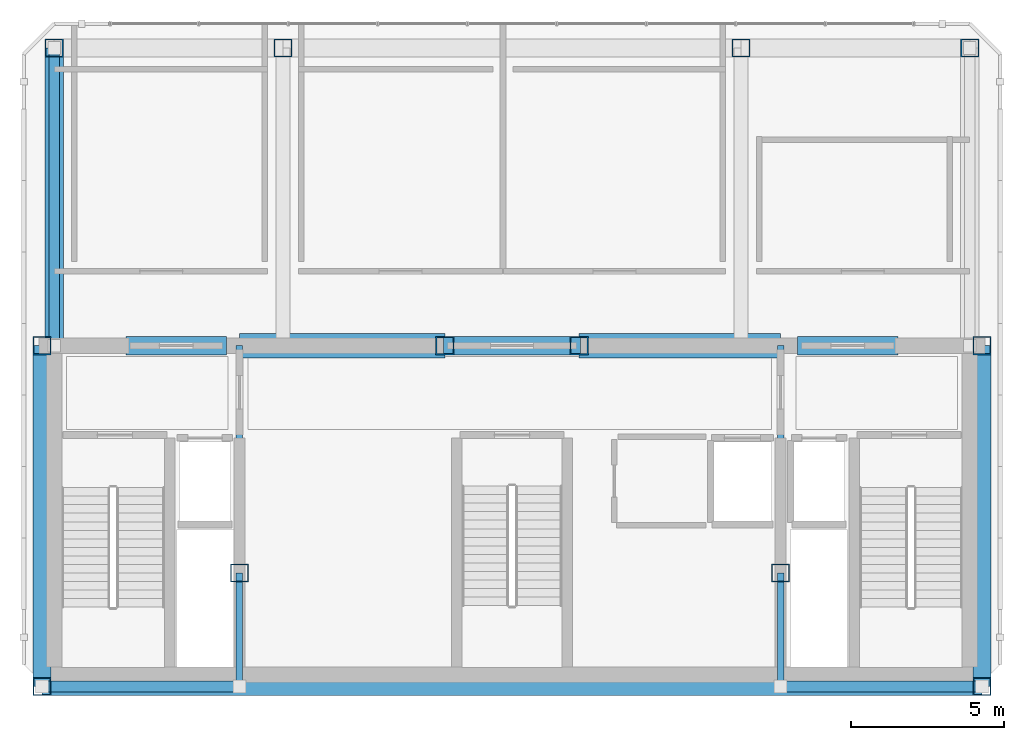
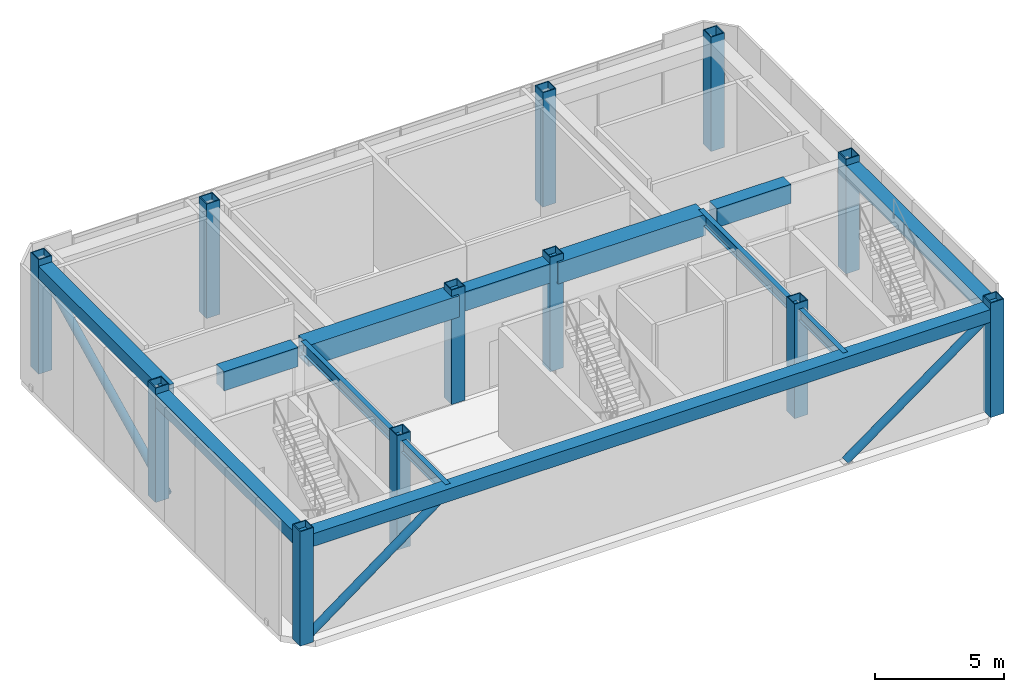
# One storey, part 1 of 10: 13 beams, 12 columns, 3 members.
"""IFC4 building model written with IfcOpenShell, lengths in metres."""

from ifc_helpers import new_model, si_unit, direction, frame, origin, origin_2d, place, context, subcontext, project, spatial, rectangle, hollow_rectangle, hollow_circle, i_section, extrude, material, material_profile, profile_set, type_object, element, save


model = new_model("IFC4")

# Units and contexts
model_context = context("Model", 3, precision=1e-05, world=origin(), true_north=direction((0.0, 1.0)))
body_context = subcontext(model_context, "Body", "Model", "MODEL_VIEW")
ifc_project = project(units=[si_unit("LENGTHUNIT", "METRE"), si_unit("AREAUNIT", "SQUARE_METRE"), si_unit("VOLUMEUNIT", "CUBIC_METRE"), si_unit("PLANEANGLEUNIT", "RADIAN"), si_unit("MASSUNIT", "GRAM", prefix="KILO")], contexts=[model_context])

# Site, building, storey
site_placement = place(None, origin())
site = spatial("IfcSite", under=ifc_project, at=site_placement, CompositionType="ELEMENT")
building_placement = place(site_placement, origin())
building = spatial("IfcBuilding", under=site, at=building_placement, Name="Ventersveld Concourse Tower", CompositionType="ELEMENT")
storey_placement = place(building_placement, frame((0.0, 0.0, 382.85009765625)))
storey = spatial("IfcBuildingStorey", under=building, at=storey_placement, Name="L93", CompositionType="ELEMENT", Elevation=382.85009765625)

# Columns
ifc_material_1 = material(Name="Structural steel S355ML", Category="steel")
ifc_material_profile_1 = material_profile(ifc_material_1, hollow_rectangle(XDim=0.60009765625, YDim=0.60009765625, WallThickness=0.0400390625, at=origin_2d()), Name="BOX 600x600x40")
ifc_profile_set_1 = profile_set([ifc_material_profile_1], Name="Structural steel S355ML")
column_type = type_object("IfcColumnType", Name="CF-POST-600", PredefinedType="USERDEFINED", material=ifc_profile_set_1)
for number, where, z_axis, x_axis, name in (
    (1, (13.35009765625, 0.280029296875, 0.0), (0.0, 0.0, 1.0), (1.0, 0.0, 0.0), "L93 Core Spine Column CC-SW"),
    (2, (44.14990234375, 0.280029296875, 0.0), (0.0, 0.0, 1.0), (1.0, 0.0, 0.0), "L93 Core Spine Column CC-SE"),
    (3, (13.35009765625, 11.449951171875, 0.0), (0.0, 0.0, 1.0), (1.0, 0.0, 0.0), "L93 Core Spine Column CC-NW"),
    (4, (44.14990234375, 11.449951171875, 0.0), (0.0, 0.0, 1.0), (1.0, 0.0, 0.0), "L93 Core Spine Column CC-NE"),
    (5, (19.820068359375, 4.0, 0.0), (0.0, 0.0, 1.0), (1.0, 0.0, 0.0), "L93 Core Spine Column CM-1"),
    (6, (37.550048828125, 4.0, 0.0), (0.0, 0.0, 1.0), (1.0, 0.0, 0.0), "L93 Core Spine Column CM-2"),
    (7, (26.550048828125, 11.449951171875, 0.0), (0.0, 0.0, 1.0), (1.0, 0.0, 0.0), "L93 Core Spine Column CM-3"),
    (8, (30.949951171875, 11.449951171875, 0.0), (0.0, 0.0, 1.0), (1.0, 0.0, 0.0), "L93 Core Spine Column CM-4"),
    (9, (13.75, 21.199951171875, 0.0), (0.0, 0.0, 1.0), (1.0, 0.0, 0.0), "L93 Crown Frame Structural Post CF-NW"),
    (10, (21.25, 21.199951171875, 0.0), (0.0, 0.0, 1.0), (1.0, 0.0, 0.0), "L93 Crown Frame Structural Post CF-NCW"),
    (11, (36.25, 21.199951171875, 0.0), (0.0, 0.0, 1.0), (1.0, 0.0, 0.0), "L93 Crown Frame Structural Post CF-NCE"),
    (12, (43.75, 21.199951171875, 0.0), (0.0, 0.0, 1.0), (1.0, 0.0, 0.0), "L93 Crown Frame Structural Post CF-NE"),
):
    element("IfcColumn", number, at=place(storey_placement, frame(where, z_axis=z_axis, x_axis=x_axis)), inside=storey, type_object=column_type, Name=name, ObjectType="CROWN_FRAME", PredefinedType="USERDEFINED", context=body_context, shape_type="SweptSolid", body=[
        extrude(hollow_rectangle(XDim=0.60009765625, YDim=0.60009765625, WallThickness=0.0400390625, at=origin_2d()), origin(), (0.0, 0.0, 1.0), 5.39990234375),
    ])

# Beams
ifc_material_2 = material(Name="Concrete C50/60", Category="concrete")
ifc_material_profile_2 = material_profile(ifc_material_2, rectangle(XDim=0.60009765625, YDim=0.89990234375, at=origin_2d()), Name="RC 600x900")
ifc_profile_set_2 = profile_set([ifc_material_profile_2], Name="Concrete C50/60")
beam_type_1 = type_object("IfcBeamType", Name="CB-RC600x900U", PredefinedType="LINTEL", material=ifc_profile_set_2)
beam_1_placement = place(storey_placement, frame((16.10009765625, 11.449951171875, 4.64990234375), z_axis=(1.0, 0.0, 0.0), x_axis=(0.0, 1.0, 0.0)))
element("IfcBeam", 13, at=beam_1_placement, inside=storey, type_object=beam_type_1, Name="L93 Core Coupling Lintel Beam 1", PredefinedType="LINTEL", context=body_context, shape_type="SweptSolid", body=[
    extrude(rectangle(XDim=0.60009765625, YDim=0.89990234375, at=origin_2d()), origin(), (0.0, 0.0, 1.0), 3.2998046875),
])
beam_2_placement = place(storey_placement, frame((26.5, 11.449951171875, 4.64990234375), z_axis=(1.0, 0.0, 0.0), x_axis=(0.0, 1.0, 0.0)))
element("IfcBeam", 14, at=beam_2_placement, inside=storey, type_object=beam_type_1, Name="L93 Core Coupling Lintel Beam 2", PredefinedType="LINTEL", context=body_context, shape_type="SweptSolid", body=[
    extrude(rectangle(XDim=0.60009765625, YDim=0.89990234375, at=origin_2d()), origin(), (0.0, 0.0, 1.0), 4.5),
])
beam_3_placement = place(storey_placement, frame((38.10009765625, 11.449951171875, 4.64990234375), z_axis=(1.0, 0.0, 0.0), x_axis=(0.0, 1.0, 0.0)))
element("IfcBeam", 15, at=beam_3_placement, inside=storey, type_object=beam_type_1, Name="L93 Core Coupling Lintel Beam 3", PredefinedType="LINTEL", context=body_context, shape_type="SweptSolid", body=[
    extrude(rectangle(XDim=0.60009765625, YDim=0.89990234375, at=origin_2d()), origin(), (0.0, 0.0, 1.0), 3.2998046875),
])

# Members
ifc_material_profile_3 = material_profile(ifc_material_1, hollow_circle(Radius=0.177734375, WallThickness=0.01611328125, at=origin_2d()), Name="CHS 355.6x16")
ifc_profile_set_3 = profile_set([ifc_material_profile_3], Name="Structural steel S355ML")
member_type = type_object("IfcMemberType", Name="CF-BR-355", PredefinedType="BRACE", material=ifc_profile_set_3)
member_1_placement = place(storey_placement, frame((13.35009765625, 0.280029296875, 0.0), z_axis=(0.803127498895, 0.0, 0.595807200795), x_axis=(0.0, 1.0, 0.0)))
element("IfcMember", 16, at=member_1_placement, inside=storey, type_object=member_type, Name="L93 CROWN FRAME Wind Brace 1", PredefinedType="BRACE", context=body_context, shape_type="SweptSolid", body=[
    extrude(hollow_circle(Radius=0.177734375, WallThickness=0.01611328125, at=origin_2d()), origin(), (0.0, 0.0, 1.0), 8.055908203125),
])
member_2_placement = place(storey_placement, frame((37.550048828125, 0.280029296875, 0.0), z_axis=(0.808741259072, 0.0, 0.588164582302), x_axis=(0.0, 1.0, 0.0)))
element("IfcMember", 17, at=member_2_placement, inside=storey, type_object=member_type, Name="L93 CROWN FRAME Wind Brace 2", PredefinedType="BRACE", context=body_context, shape_type="SweptSolid", body=[
    extrude(hollow_circle(Radius=0.177734375, WallThickness=0.01611328125, at=origin_2d()), origin(), (0.0, 0.0, 1.0), 8.16064453125),
])
member_3_placement = place(storey_placement, frame((13.75, 11.449951171875, 0.0), z_axis=(0.0, 0.897177797739, 0.441669558883), x_axis=(-1.0, 0.0, 0.0)))
element("IfcMember", 18, at=member_3_placement, inside=storey, type_object=member_type, Name="L93 CROWN FRAME Wind Brace 3", PredefinedType="BRACE", context=body_context, shape_type="SweptSolid", body=[
    extrude(hollow_circle(Radius=0.177734375, WallThickness=0.01611328125, at=origin_2d()), origin(), (0.0, 0.0, 1.0), 10.867431640625),
])

# Beams
ifc_material_3 = material(Name="Structural steel S355J2", Category="steel")
ifc_material_profile_4 = material_profile(ifc_material_3, i_section(OverallWidth=0.2119140625, OverallDepth=0.54443359375, WebThickness=0.0126953125, FlangeThickness=0.021240234375, FilletRadius=0.0126953125, at=origin_2d()), Name="UB 533x210x122")
ifc_profile_set_4 = profile_set([ifc_material_profile_4], Name="Structural steel S355J2")
beam_type_2 = type_object("IfcBeamType", Name="GRD-UB533H", PredefinedType="T_BEAM", material=ifc_profile_set_4)
beam_4_placement = place(storey_placement, frame((19.820068359375, 0.280029296875, 4.82763671875), z_axis=(0.0, 1.0, 0.0), x_axis=(-1.0, 0.0, 0.0)))
element("IfcBeam", 19, at=beam_4_placement, inside=storey, type_object=beam_type_2, Name="L93 Core Spine N-S Tie Beam W1", PredefinedType="T_BEAM", context=body_context, shape_type="SweptSolid", body=[
    extrude(i_section(OverallWidth=0.2119140625, OverallDepth=0.54443359375, WebThickness=0.0126953125, FlangeThickness=0.021240234375, FilletRadius=0.0126953125, at=origin_2d()), origin(), (0.0, 0.0, 1.0), 3.719970703125),
])
beam_5_placement = place(storey_placement, frame((19.820068359375, 4.0, 4.82763671875), z_axis=(0.0, 1.0, 0.0), x_axis=(-1.0, 0.0, 0.0)))
element("IfcBeam", 20, at=beam_5_placement, inside=storey, type_object=beam_type_2, Name="L93 Core Spine N-S Tie Beam W2", PredefinedType="T_BEAM", context=body_context, shape_type="SweptSolid", body=[
    extrude(i_section(OverallWidth=0.2119140625, OverallDepth=0.54443359375, WebThickness=0.0126953125, FlangeThickness=0.021240234375, FilletRadius=0.0126953125, at=origin_2d()), origin(), (0.0, 0.0, 1.0), 7.449951171875),
])
beam_6_placement = place(storey_placement, frame((37.550048828125, 0.280029296875, 4.82763671875), z_axis=(0.0, 1.0, 0.0), x_axis=(-1.0, 0.0, 0.0)))
element("IfcBeam", 21, at=beam_6_placement, inside=storey, type_object=beam_type_2, Name="L93 Core Spine N-S Tie Beam E1", PredefinedType="T_BEAM", context=body_context, shape_type="SweptSolid", body=[
    extrude(i_section(OverallWidth=0.2119140625, OverallDepth=0.54443359375, WebThickness=0.0126953125, FlangeThickness=0.021240234375, FilletRadius=0.0126953125, at=origin_2d()), origin(), (0.0, 0.0, 1.0), 3.719970703125),
])
beam_7_placement = place(storey_placement, frame((37.550048828125, 4.0, 4.82763671875), z_axis=(0.0, 1.0, 0.0), x_axis=(-1.0, 0.0, 0.0)))
element("IfcBeam", 22, at=beam_7_placement, inside=storey, type_object=beam_type_2, Name="L93 Core Spine N-S Tie Beam E2", PredefinedType="T_BEAM", context=body_context, shape_type="SweptSolid", body=[
    extrude(i_section(OverallWidth=0.2119140625, OverallDepth=0.54443359375, WebThickness=0.0126953125, FlangeThickness=0.021240234375, FilletRadius=0.0126953125, at=origin_2d()), origin(), (0.0, 0.0, 1.0), 7.449951171875),
])
ifc_material_profile_5 = material_profile(ifc_material_1, hollow_rectangle(XDim=0.60009765625, YDim=0.60009765625, WallThickness=0.0400390625, at=origin_2d()), Name="BOX 600x600x40")
ifc_profile_set_5 = profile_set([ifc_material_profile_5], Name="Structural steel S355ML")
beam_type_3 = type_object("IfcBeamType", Name="SPD-BOX600", PredefinedType="SPANDREL", material=ifc_profile_set_5)
beam_8_placement = place(storey_placement, frame((13.35009765625, 0.280029296875, 4.7998046875), z_axis=(1.0, 0.0, 0.0), x_axis=(0.0, 1.0, 0.0)))
element("IfcBeam", 23, at=beam_8_placement, inside=storey, type_object=beam_type_3, Name="L93 CROWN FRAME Perimeter Ring Beam 1", PredefinedType="SPANDREL", context=body_context, shape_type="SweptSolid", body=[
    extrude(hollow_rectangle(XDim=0.60009765625, YDim=0.60009765625, WallThickness=0.0400390625, at=origin_2d()), origin(), (0.0, 0.0, 1.0), 30.7998046875),
])
beam_9_placement = place(storey_placement, frame((44.14990234375, 0.280029296875, 4.7998046875), z_axis=(0.0, 1.0, 0.0), x_axis=(-1.0, 0.0, 0.0)))
element("IfcBeam", 24, at=beam_9_placement, inside=storey, type_object=beam_type_3, Name="L93 CROWN FRAME Perimeter Ring Beam 2", PredefinedType="SPANDREL", context=body_context, shape_type="SweptSolid", body=[
    extrude(hollow_rectangle(XDim=0.60009765625, YDim=0.60009765625, WallThickness=0.0400390625, at=origin_2d()), origin(), (0.0, 0.0, 1.0), 11.169921875),
])
beam_10_placement = place(storey_placement, frame((13.75, 21.199951171875, 4.7998046875), z_axis=(0.0, -1.0, 0.0), x_axis=(1.0, 0.0, 0.0)))
element("IfcBeam", 25, at=beam_10_placement, inside=storey, type_object=beam_type_3, Name="L93 CROWN FRAME Perimeter Ring Beam 7", PredefinedType="SPANDREL", context=body_context, shape_type="SweptSolid", body=[
    extrude(hollow_rectangle(XDim=0.60009765625, YDim=0.60009765625, WallThickness=0.0400390625, at=origin_2d()), origin(), (0.0, 0.0, 1.0), 9.75),
])
beam_11_placement = place(storey_placement, frame((13.35009765625, 11.449951171875, 4.7998046875), z_axis=(0.0, -1.0, 0.0), x_axis=(1.0, 0.0, 0.0)))
element("IfcBeam", 26, at=beam_11_placement, inside=storey, type_object=beam_type_3, Name="L93 CROWN FRAME Perimeter Ring Beam 8", PredefinedType="SPANDREL", context=body_context, shape_type="SweptSolid", body=[
    extrude(hollow_rectangle(XDim=0.60009765625, YDim=0.60009765625, WallThickness=0.0400390625, at=origin_2d()), origin(), (0.0, 0.0, 1.0), 11.169921875),
])
ifc_material_4 = material(Name="Structural steel S460ML", Category="steel")
ifc_material_profile_6 = material_profile(ifc_material_4, hollow_rectangle(XDim=0.800048828125, YDim=1.0, WallThickness=0.06494140625, at=origin_2d()), Name="BOX 1000x800x65")
ifc_profile_set_6 = profile_set([ifc_material_profile_6], Name="Structural steel S460ML")
beam_type_4 = type_object("IfcBeamType", Name="TG-BOX1000", PredefinedType="USERDEFINED", material=ifc_profile_set_6)
beam_12_placement = place(storey_placement, frame((19.820068359375, 11.449951171875, 4.599853515625), z_axis=(1.0, 0.0, 0.0), x_axis=(0.0, 1.0, 0.0)))
element("IfcBeam", 27, at=beam_12_placement, inside=storey, type_object=beam_type_4, Name="L93 Mast North Grillage Beam W", ObjectType="TRANSFER_GIRDER", PredefinedType="USERDEFINED", context=body_context, shape_type="SweptSolid", body=[
    extrude(hollow_rectangle(XDim=0.800048828125, YDim=1.0, WallThickness=0.06494140625, at=origin_2d()), origin(), (0.0, 0.0, 1.0), 6.72998046875),
])
beam_13_placement = place(storey_placement, frame((30.949951171875, 11.449951171875, 4.599853515625), z_axis=(1.0, 0.0, 0.0), x_axis=(0.0, 1.0, 0.0)))
element("IfcBeam", 28, at=beam_13_placement, inside=storey, type_object=beam_type_4, Name="L93 Mast North Grillage Beam E", ObjectType="TRANSFER_GIRDER", PredefinedType="USERDEFINED", context=body_context, shape_type="SweptSolid", body=[
    extrude(hollow_rectangle(XDim=0.800048828125, YDim=1.0, WallThickness=0.06494140625, at=origin_2d()), origin(), (0.0, 0.0, 1.0), 6.60009765625),
])

save(model, "model.ifc")
